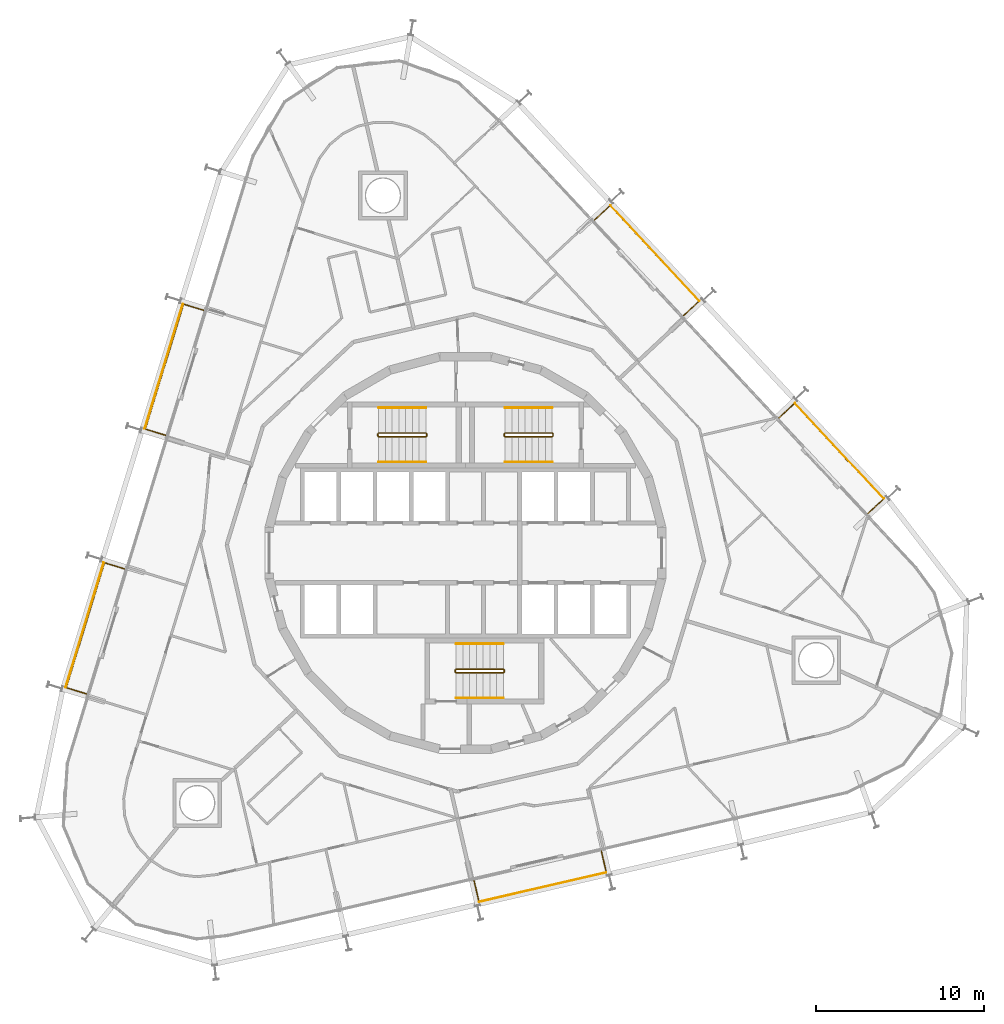
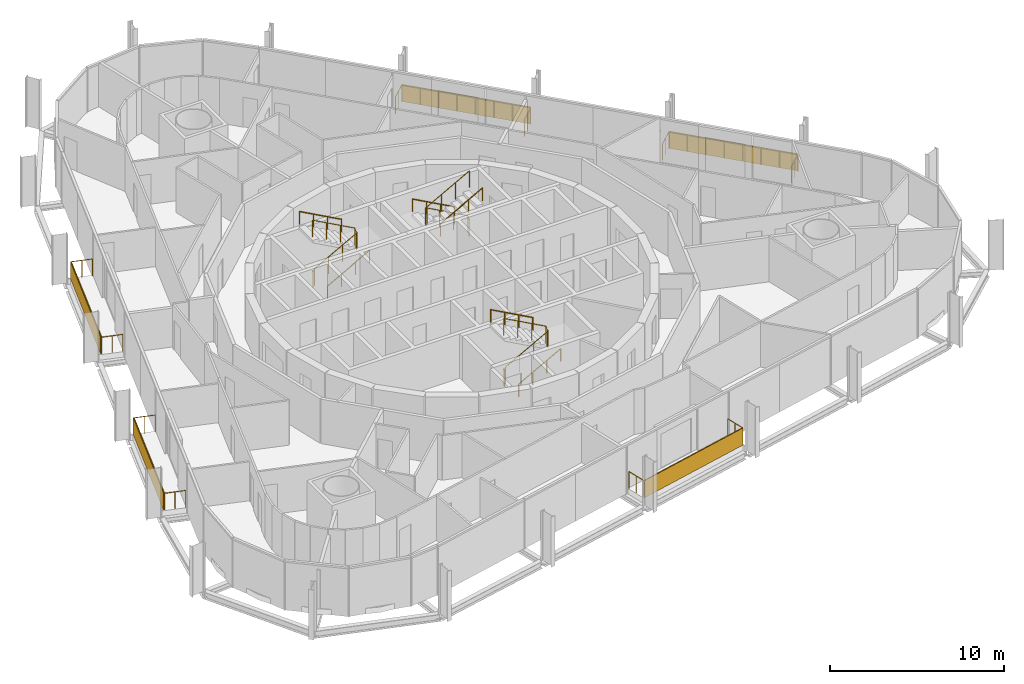
# One storey, part 18 of 18: 14 railings, 5 shading devices.
"""IFC4 building model written with IfcOpenShell, lengths in metres."""

from ifc_helpers import new_model, si_unit, direction, frame, origin, origin_2d, place, context, subcontext, project, spatial, rectangle, circle, extrude, material, layer, layer_set, type_object, element, save


model = new_model("IFC4")

# Units and contexts
model_context = context("Model", 3, precision=1e-05, world=origin(), true_north=direction((0.0, 1.0)))
body_context = subcontext(model_context, "Body", "Model", "MODEL_VIEW")
ifc_project = project(units=[si_unit("LENGTHUNIT", "METRE"), si_unit("AREAUNIT", "SQUARE_METRE"), si_unit("VOLUMEUNIT", "CUBIC_METRE"), si_unit("PLANEANGLEUNIT", "RADIAN"), si_unit("MASSUNIT", "GRAM", prefix="KILO")], contexts=[model_context])

# Site, building, storey
site_placement = place(None, origin())
site = spatial("IfcSite", under=ifc_project, at=site_placement, CompositionType="ELEMENT")
building_placement = place(site_placement, origin())
building = spatial("IfcBuilding", under=site, at=building_placement, Name="Spindle Arch Residences", CompositionType="ELEMENT")
storey_placement = place(building_placement, frame((0.0, 0.0, 116.89990234375)))
storey = spatial("IfcBuildingStorey", under=building, at=storey_placement, Name="L28", CompositionType="ELEMENT", Elevation=116.89990234375)

# Railings
ifc_material_1 = material(Name="Bronze anodised aluminium guard with glass infill", Category="aluminium")
railing_type_1 = type_object("IfcRailingType", Name="Balcony guard 1200", PredefinedType="GUARDRAIL", material=ifc_material_1)
railing_1_placement = place(storey_placement, frame((23.90185546875, 2.34619140625, 0.0)))
element("IfcRailing", 1, at=railing_1_placement, inside=storey, type_object=railing_type_1, Name="Guard L28 bay 6", PredefinedType="GUARDRAIL", context=body_context, shape_type="SweptSolid", body=[
    extrude(circle(Radius=0.02392578125, at=origin_2d()), frame((0.0, 0.0, 1.17578125), z_axis=(0.731379904041, 0.681970260323, 0.0), x_axis=(-0.681970260323, 0.731379904041, 0.0)), (0.0, 0.0, 1.0), 1.25),
    extrude(circle(Radius=0.02392578125, at=origin_2d()), frame((0.914306640625, 0.8525390625, 1.17578125), z_axis=(-0.681991953625, 0.731359675666, 0.0), x_axis=(-0.731359675666, -0.681991953625, 0.0)), (0.0, 0.0, 1.0), 7.75927734375),
    extrude(circle(Radius=0.02392578125, at=origin_2d()), frame((-4.37744140625, 6.52734375, 1.17578125), z_axis=(-0.731379904041, -0.681970260323, 0.0), x_axis=(0.681970260323, -0.731379904041, 0.0)), (0.0, 0.0, 1.0), 1.25),
    extrude(circle(Radius=0.02099609375, at=origin_2d()), origin(), (0.0, 0.0, 1.0), 1.15185546875),
    extrude(circle(Radius=0.02099609375, at=origin_2d()), frame((0.45703125, 0.42626953125, 0.0)), (0.0, 0.0, 1.0), 1.15185546875),
    extrude(circle(Radius=0.02099609375, at=origin_2d()), frame((0.914306640625, 0.8525390625, 0.0)), (0.0, 0.0, 1.0), 1.15185546875),
    extrude(circle(Radius=0.02099609375, at=origin_2d()), frame((0.158447265625, 1.663330078125, 0.0)), (0.0, 0.0, 1.0), 1.15185546875),
    extrude(circle(Radius=0.02099609375, at=origin_2d()), frame((-0.59765625, 2.473876953125, 0.0)), (0.0, 0.0, 1.0), 1.15185546875),
    extrude(circle(Radius=0.02099609375, at=origin_2d()), frame((-1.353515625, 3.28466796875, 0.0)), (0.0, 0.0, 1.0), 1.15185546875),
    extrude(circle(Radius=0.02099609375, at=origin_2d()), frame((-2.109619140625, 4.09521484375, 0.0)), (0.0, 0.0, 1.0), 1.15185546875),
    extrude(circle(Radius=0.02099609375, at=origin_2d()), frame((-2.865478515625, 4.906005859375, 0.0)), (0.0, 0.0, 1.0), 1.15185546875),
    extrude(circle(Radius=0.02099609375, at=origin_2d()), frame((-3.62158203125, 5.716552734375, 0.0)), (0.0, 0.0, 1.0), 1.15185546875),
    extrude(circle(Radius=0.02099609375, at=origin_2d()), frame((-4.37744140625, 6.52734375, 0.0)), (0.0, 0.0, 1.0), 1.15185546875),
    extrude(circle(Radius=0.02099609375, at=origin_2d()), frame((-4.83447265625, 6.10107421875, 0.0)), (0.0, 0.0, 1.0), 1.15185546875),
    extrude(circle(Radius=0.02099609375, at=origin_2d()), frame((-5.291748046875, 5.6748046875, 0.0)), (0.0, 0.0, 1.0), 1.15185546875),
])
railing_2_placement = place(storey_placement, frame((12.9501953125, 14.090576171875, 0.0)))
element("IfcRailing", 2, at=railing_2_placement, inside=storey, type_object=railing_type_1, Name="Guard L28 bay 8", PredefinedType="GUARDRAIL", context=body_context, shape_type="SweptSolid", body=[
    extrude(circle(Radius=0.02392578125, at=origin_2d()), frame((0.0, 0.0, 1.17578125), z_axis=(0.731289056092, 0.682067677317, 0.0), x_axis=(-0.682067677317, 0.731289056092, 0.0)), (0.0, 0.0, 1.0), 1.25),
    extrude(circle(Radius=0.02392578125, at=origin_2d()), frame((0.9140625, 0.8525390625, 1.17578125), z_axis=(-0.682007647712, 0.731345040635, 0.0), x_axis=(-0.731345040635, -0.682007647712, 0.0)), (0.0, 0.0, 1.0), 7.759033203125),
    extrude(circle(Radius=0.02392578125, at=origin_2d()), frame((-4.377685546875, 6.527099609375, 1.17578125), z_axis=(-0.731386486467, -0.681963200923, 0.0), x_axis=(0.681963200923, -0.731386486467, 0.0)), (0.0, 0.0, 1.0), 1.249755859375),
    extrude(circle(Radius=0.02099609375, at=origin_2d()), origin(), (0.0, 0.0, 1.0), 1.15185546875),
    extrude(circle(Radius=0.02099609375, at=origin_2d()), frame((0.45703125, 0.42626953125, 0.0)), (0.0, 0.0, 1.0), 1.15185546875),
    extrude(circle(Radius=0.02099609375, at=origin_2d()), frame((0.9140625, 0.8525390625, 0.0)), (0.0, 0.0, 1.0), 1.15185546875),
    extrude(circle(Radius=0.02099609375, at=origin_2d()), frame((0.158203125, 1.6630859375, 0.0)), (0.0, 0.0, 1.0), 1.15185546875),
    extrude(circle(Radius=0.02099609375, at=origin_2d()), frame((-0.597900390625, 2.473876953125, 0.0)), (0.0, 0.0, 1.0), 1.15185546875),
    extrude(circle(Radius=0.02099609375, at=origin_2d()), frame((-1.353759765625, 3.284423828125, 0.0)), (0.0, 0.0, 1.0), 1.15185546875),
    extrude(circle(Radius=0.02099609375, at=origin_2d()), frame((-2.10986328125, 4.09521484375, 0.0)), (0.0, 0.0, 1.0), 1.15185546875),
    extrude(circle(Radius=0.02099609375, at=origin_2d()), frame((-2.86572265625, 4.90576171875, 0.0)), (0.0, 0.0, 1.0), 1.15185546875),
    extrude(circle(Radius=0.02099609375, at=origin_2d()), frame((-3.621826171875, 5.716552734375, 0.0)), (0.0, 0.0, 1.0), 1.15185546875),
    extrude(circle(Radius=0.02099609375, at=origin_2d()), frame((-4.377685546875, 6.527099609375, 0.0)), (0.0, 0.0, 1.0), 1.15185546875),
    extrude(circle(Radius=0.02099609375, at=origin_2d()), frame((-4.834716796875, 6.10107421875, 0.0)), (0.0, 0.0, 1.0), 1.15185546875),
    extrude(circle(Radius=0.02099609375, at=origin_2d()), frame((-5.291748046875, 5.6748046875, 0.0)), (0.0, 0.0, 1.0), 1.15185546875),
])
railing_3_placement = place(storey_placement, frame((-15.5478515625, 14.40771484375, 0.0)))
element("IfcRailing", 3, at=railing_3_placement, inside=storey, type_object=railing_type_1, Name="Guard L28 bay 14", PredefinedType="GUARDRAIL", context=body_context, shape_type="SweptSolid", body=[
    extrude(circle(Radius=0.02392578125, at=origin_2d()), frame((0.0, 0.0, 1.17578125), z_axis=(-0.95629696894, 0.292397173714, 0.0), x_axis=(-0.292397173714, -0.95629696894, 0.0)), (0.0, 0.0, 1.0), 1.25),
    extrude(circle(Radius=0.02392578125, at=origin_2d()), frame((-1.1953125, 0.365478515625, 1.17578125), z_axis=(-0.29236961561, -0.956305394666, 0.0), x_axis=(0.956305394666, -0.29236961561, 0.0)), (0.0, 0.0, 1.0), 7.75927734375),
    extrude(circle(Radius=0.02392578125, at=origin_2d()), frame((-3.4638671875, -7.0546875, 1.17578125), z_axis=(0.95629696894, -0.292397173714, 0.0), x_axis=(0.292397173714, 0.95629696894, 0.0)), (0.0, 0.0, 1.0), 1.25),
    extrude(circle(Radius=0.02099609375, at=origin_2d()), origin(), (0.0, 0.0, 1.0), 1.15185546875),
    extrude(circle(Radius=0.02099609375, at=origin_2d()), frame((-0.59765625, 0.1826171875, 0.0)), (0.0, 0.0, 1.0), 1.15185546875),
    extrude(circle(Radius=0.02099609375, at=origin_2d()), frame((-1.1953125, 0.365478515625, 0.0)), (0.0, 0.0, 1.0), 1.15185546875),
    extrude(circle(Radius=0.02099609375, at=origin_2d()), frame((-1.519287109375, -0.694580078125, 0.0)), (0.0, 0.0, 1.0), 1.15185546875),
    extrude(circle(Radius=0.02099609375, at=origin_2d()), frame((-1.843505859375, -1.754638671875, 0.0)), (0.0, 0.0, 1.0), 1.15185546875),
    extrude(circle(Radius=0.02099609375, at=origin_2d()), frame((-2.16748046875, -2.814697265625, 0.0)), (0.0, 0.0, 1.0), 1.15185546875),
    extrude(circle(Radius=0.02099609375, at=origin_2d()), frame((-2.49169921875, -3.87451171875, 0.0)), (0.0, 0.0, 1.0), 1.15185546875),
    extrude(circle(Radius=0.02099609375, at=origin_2d()), frame((-2.815673828125, -4.9345703125, 0.0)), (0.0, 0.0, 1.0), 1.15185546875),
    extrude(circle(Radius=0.02099609375, at=origin_2d()), frame((-3.139892578125, -5.99462890625, 0.0)), (0.0, 0.0, 1.0), 1.15185546875),
    extrude(circle(Radius=0.02099609375, at=origin_2d()), frame((-3.4638671875, -7.0546875, 0.0)), (0.0, 0.0, 1.0), 1.15185546875),
    extrude(circle(Radius=0.02099609375, at=origin_2d()), frame((-2.8662109375, -7.2373046875, 0.0)), (0.0, 0.0, 1.0), 1.15185546875),
    extrude(circle(Radius=0.02099609375, at=origin_2d()), frame((-2.2685546875, -7.420166015625, 0.0)), (0.0, 0.0, 1.0), 1.15185546875),
])
railing_4_placement = place(storey_placement, frame((-20.242919921875, -0.948974609375, 0.0)))
element("IfcRailing", 4, at=railing_4_placement, inside=storey, type_object=railing_type_1, Name="Guard L28 bay 16", PredefinedType="GUARDRAIL", context=body_context, shape_type="SweptSolid", body=[
    extrude(circle(Radius=0.02392578125, at=origin_2d()), frame((0.0, 0.0, 1.17578125), z_axis=(-0.95629696894, 0.292397173714, 0.0), x_axis=(-0.292397173714, -0.95629696894, 0.0)), (0.0, 0.0, 1.0), 1.25),
    extrude(circle(Radius=0.02392578125, at=origin_2d()), frame((-1.1953125, 0.365478515625, 1.17578125), z_axis=(-0.29236961561, -0.956305394666, 0.0), x_axis=(0.956305394666, -0.29236961561, 0.0)), (0.0, 0.0, 1.0), 7.75927734375),
    extrude(circle(Radius=0.02392578125, at=origin_2d()), frame((-3.4638671875, -7.0546875, 1.17578125), z_axis=(0.95629696894, -0.292397173714, 0.0), x_axis=(0.292397173714, 0.95629696894, 0.0)), (0.0, 0.0, 1.0), 1.25),
    extrude(circle(Radius=0.02099609375, at=origin_2d()), origin(), (0.0, 0.0, 1.0), 1.15185546875),
    extrude(circle(Radius=0.02099609375, at=origin_2d()), frame((-0.59765625, 0.1826171875, 0.0)), (0.0, 0.0, 1.0), 1.15185546875),
    extrude(circle(Radius=0.02099609375, at=origin_2d()), frame((-1.1953125, 0.365478515625, 0.0)), (0.0, 0.0, 1.0), 1.15185546875),
    extrude(circle(Radius=0.02099609375, at=origin_2d()), frame((-1.519287109375, -0.694580078125, 0.0)), (0.0, 0.0, 1.0), 1.15185546875),
    extrude(circle(Radius=0.02099609375, at=origin_2d()), frame((-1.843505859375, -1.754638671875, 0.0)), (0.0, 0.0, 1.0), 1.15185546875),
    extrude(circle(Radius=0.02099609375, at=origin_2d()), frame((-2.16748046875, -2.814697265625, 0.0)), (0.0, 0.0, 1.0), 1.15185546875),
    extrude(circle(Radius=0.02099609375, at=origin_2d()), frame((-2.49169921875, -3.87451171875, 0.0)), (0.0, 0.0, 1.0), 1.15185546875),
    extrude(circle(Radius=0.02099609375, at=origin_2d()), frame((-2.815673828125, -4.9345703125, 0.0)), (0.0, 0.0, 1.0), 1.15185546875),
    extrude(circle(Radius=0.02099609375, at=origin_2d()), frame((-3.139892578125, -5.99462890625, 0.0)), (0.0, 0.0, 1.0), 1.15185546875),
    extrude(circle(Radius=0.02099609375, at=origin_2d()), frame((-3.4638671875, -7.0546875, 0.0)), (0.0, 0.0, 1.0), 1.15185546875),
    extrude(circle(Radius=0.02099609375, at=origin_2d()), frame((-2.8662109375, -7.2373046875, 0.0)), (0.0, 0.0, 1.0), 1.15185546875),
    extrude(circle(Radius=0.02099609375, at=origin_2d()), frame((-2.2685546875, -7.420166015625, 0.0)), (0.0, 0.0, 1.0), 1.15185546875),
])
railing_5_placement = place(storey_placement, frame((0.51220703125, -19.464599609375, 0.0)))
element("IfcRailing", 5, at=railing_5_placement, inside=storey, type_object=railing_type_1, Name="Guard L28 bay 22", PredefinedType="GUARDRAIL", context=body_context, shape_type="SweptSolid", body=[
    extrude(circle(Radius=0.02392578125, at=origin_2d()), frame((0.0, 0.0, 1.17578125), z_axis=(0.224802449297, -0.974404361028, 0.0), x_axis=(0.974404361028, 0.224802449297, 0.0)), (0.0, 0.0, 1.0), 1.25),
    extrude(circle(Radius=0.02392578125, at=origin_2d()), frame((0.281005859375, -1.218017578125, 1.17578125), z_axis=(0.974365204353, 0.224972106149, 0.0), x_axis=(-0.224972106149, 0.974365204353, 0.0)), (0.0, 0.0, 1.0), 7.75927734375),
    extrude(circle(Radius=0.02392578125, at=origin_2d()), frame((7.84130859375, 0.527587890625, 1.17578125), z_axis=(-0.224845239705, 0.974394487968, 0.0), x_axis=(-0.974394487968, -0.224845239705, 0.0)), (0.0, 0.0, 1.0), 1.249755859375),
    extrude(circle(Radius=0.02099609375, at=origin_2d()), origin(), (0.0, 0.0, 1.0), 1.15185546875),
    extrude(circle(Radius=0.02099609375, at=origin_2d()), frame((0.140625, -0.60888671875, 0.0)), (0.0, 0.0, 1.0), 1.15185546875),
    extrude(circle(Radius=0.02099609375, at=origin_2d()), frame((0.281005859375, -1.218017578125, 0.0)), (0.0, 0.0, 1.0), 1.15185546875),
    extrude(circle(Radius=0.02099609375, at=origin_2d()), frame((1.361083984375, -0.96875, 0.0)), (0.0, 0.0, 1.0), 1.15185546875),
    extrude(circle(Radius=0.02099609375, at=origin_2d()), frame((2.441162109375, -0.71923828125, 0.0)), (0.0, 0.0, 1.0), 1.15185546875),
    extrude(circle(Radius=0.02099609375, at=origin_2d()), frame((3.521240234375, -0.469970703125, 0.0)), (0.0, 0.0, 1.0), 1.15185546875),
    extrude(circle(Radius=0.02099609375, at=origin_2d()), frame((4.60107421875, -0.220458984375, 0.0)), (0.0, 0.0, 1.0), 1.15185546875),
    extrude(circle(Radius=0.02099609375, at=origin_2d()), frame((5.68115234375, 0.02880859375, 0.0)), (0.0, 0.0, 1.0), 1.15185546875),
    extrude(circle(Radius=0.02099609375, at=origin_2d()), frame((6.76123046875, 0.2783203125, 0.0)), (0.0, 0.0, 1.0), 1.15185546875),
    extrude(circle(Radius=0.02099609375, at=origin_2d()), frame((7.84130859375, 0.527587890625, 0.0)), (0.0, 0.0, 1.0), 1.15185546875),
    extrude(circle(Radius=0.02099609375, at=origin_2d()), frame((7.70068359375, 1.136474609375, 0.0)), (0.0, 0.0, 1.0), 1.15185546875),
    extrude(circle(Radius=0.02099609375, at=origin_2d()), frame((7.560302734375, 1.745361328125, 0.0)), (0.0, 0.0, 1.0), 1.15185546875),
])

# Shading devices
ifc_material_2 = material(Name="Bronze perforated cobogo screen")
ifc_layer = layer(ifc_material_2, 0.0390625)
ifc_layer_set = layer_set([ifc_layer], Name="Cobogo screen 1200")
shading_device_type = type_object("IfcShadingDeviceType", Name="Cobogo screen 1200", PredefinedType="USERDEFINED", material=ifc_layer_set)
for number, where, z_axis, x_axis, name in (
    (6, (22.199951171875, 6.063720703125, 0.0), (0.0, 0.0, 1.0), (-0.681998360062, 0.731353701619, 0.0), "Cobogo screen L28 bay 6"),
    (7, (11.248046875, 17.80810546875, 0.0), (0.0, 0.0, 1.0), (-0.681998360062, 0.731353701619, 0.0), "Cobogo screen L28 bay 8"),
    (8, (-17.916259765625, 11.074951171875, 0.0), (0.0, 0.0, 1.0), (-0.292371704723, -0.956304755963, 0.0), "Cobogo screen L28 bay 14"),
    (9, (-22.611328125, -4.28173828125, 0.0), (0.0, 0.0, 1.0), (-0.292371704723, -0.956304755963, 0.0), "Cobogo screen L28 bay 16"),
    (10, (4.58251953125, -19.849365234375, 0.0), (0.0, 0.0, 1.0), (0.974370064785, 0.224951054344, 0.0), "Cobogo screen L28 bay 22"),
):
    element("IfcShadingDevice", number, at=place(storey_placement, frame(where, z_axis=z_axis, x_axis=x_axis)), inside=storey, type_object=shading_device_type, Name=name, ObjectType="SCREEN", PredefinedType="USERDEFINED", context=body_context, shape_type="SweptSolid", body=[
        extrude(rectangle(XDim=7.75927734375, YDim=0.0390625, at=origin_2d()), origin(), (0.0, 0.0, 1.0), 1.199951171875),
    ])

# Railings
ifc_material_3 = material(Name="Steel, painted", Category="steel")
railing_type_2 = type_object("IfcRailingType", Name="Stair guard 1100", PredefinedType="GUARDRAIL", material=ifc_material_3)
railing_6_placement = place(storey_placement, frame((5.14990234375, 6.89990234375, 3.5)))
element("IfcRailing", 11, at=railing_6_placement, inside=storey, type_object=railing_type_2, Name="L28 ST1 stair guard 1", PredefinedType="GUARDRAIL", context=body_context, shape_type="SweptSolid", body=[
    extrude(circle(Radius=0.02392578125, at=origin_2d()), frame((0.0, 0.0, 1.17578125), z_axis=(-0.877357048833, 0.0, -0.479838106931), x_axis=(0.0, -1.0, 0.0)), (0.0, 0.0, 1.0), 3.191162109375),
    extrude(circle(Radius=0.02392578125, at=origin_2d()), frame((-2.7998046875, 0.0, -0.35546875), z_axis=(-0.217683172539, 0.217683172539, -0.951434744366), x_axis=(-0.707106781187, -0.707106781187, 0.0)), (0.0, 0.0, 1.0), 0.22998046875),
    extrude(circle(Radius=0.02392578125, at=origin_2d()), frame((-2.849853515625, 0.050048828125, -0.57421875), z_axis=(0.0, 1.0, 0.0), x_axis=(-1.0, 0.0, 0.0)), (0.0, 0.0, 1.0), 0.1201171875),
    extrude(circle(Radius=0.02392578125, at=origin_2d()), frame((-2.849853515625, 0.170166015625, -0.57421875), z_axis=(0.707106781187, 0.707106781187, 0.0), x_axis=(-0.707106781187, 0.707106781187, 0.0)), (0.0, 0.0, 1.0), 0.07080078125),
    extrude(circle(Radius=0.02392578125, at=origin_2d()), frame((-2.7998046875, 0.22021484375, -0.57421875), z_axis=(0.877357048833, 0.0, -0.479838106931), x_axis=(0.0, 1.0, 0.0)), (0.0, 0.0, 1.0), 3.191162109375),
    extrude(circle(Radius=0.02392578125, at=origin_2d()), frame((0.0, 0.22021484375, -2.10546875), z_axis=(0.217683172539, -0.217683172539, -0.951434744366), x_axis=(0.707106781187, 0.707106781187, 0.0)), (0.0, 0.0, 1.0), 0.22998046875),
    extrude(circle(Radius=0.02392578125, at=origin_2d()), frame((0.050048828125, 0.170166015625, -2.32421875), z_axis=(0.0, -1.0, 0.0), x_axis=(1.0, 0.0, 0.0)), (0.0, 0.0, 1.0), 0.1201171875),
    extrude(circle(Radius=0.02099609375, at=origin_2d()), origin(), (0.0, 0.0, 1.0), 1.15185546875),
    extrude(circle(Radius=0.02099609375, at=origin_2d()), frame((-0.933349609375, 0.0, -0.510498046875)), (0.0, 0.0, 1.0), 1.15185546875),
    extrude(circle(Radius=0.02099609375, at=origin_2d()), frame((-1.866455078125, 0.0, -1.020751953125)), (0.0, 0.0, 1.0), 1.15185546875),
    extrude(circle(Radius=0.02099609375, at=origin_2d()), frame((-2.7998046875, 0.0, -1.53125)), (0.0, 0.0, 1.0), 1.15185546875),
    extrude(circle(Radius=0.02099609375, at=origin_2d()), frame((-2.849853515625, 0.050048828125, -1.75)), (0.0, 0.0, 1.0), 1.15185546875),
    extrude(circle(Radius=0.02099609375, at=origin_2d()), frame((-2.849853515625, 0.170166015625, -1.75)), (0.0, 0.0, 1.0), 1.15185546875),
    extrude(circle(Radius=0.02099609375, at=origin_2d()), frame((-2.7998046875, 0.22021484375, -1.75)), (0.0, 0.0, 1.0), 1.15185546875),
    extrude(circle(Radius=0.02099609375, at=origin_2d()), frame((-1.866455078125, 0.22021484375, -2.260498046875)), (0.0, 0.0, 1.0), 1.15185546875),
    extrude(circle(Radius=0.02099609375, at=origin_2d()), frame((-0.933349609375, 0.22021484375, -2.770751953125)), (0.0, 0.0, 1.0), 1.15185546875),
    extrude(circle(Radius=0.02099609375, at=origin_2d()), frame((0.0, 0.22021484375, -3.28125)), (0.0, 0.0, 1.0), 1.15185546875),
    extrude(circle(Radius=0.02099609375, at=origin_2d()), frame((0.050048828125, 0.170166015625, -3.5)), (0.0, 0.0, 1.0), 1.15185546875),
    extrude(circle(Radius=0.02099609375, at=origin_2d()), frame((0.050048828125, 0.050048828125, -3.5)), (0.0, 0.0, 1.0), 1.15185546875),
])
railing_7_placement = place(storey_placement, frame((-5.14990234375, 7.1201171875, 3.5)))
element("IfcRailing", 12, at=railing_7_placement, inside=storey, type_object=railing_type_2, Name="L28 ST2 stair guard 1", PredefinedType="GUARDRAIL", context=body_context, shape_type="SweptSolid", body=[
    extrude(circle(Radius=0.02392578125, at=origin_2d()), frame((0.0, 0.0, 1.17578125), z_axis=(0.877357048833, 0.0, -0.479838106931), x_axis=(0.0, 1.0, 0.0)), (0.0, 0.0, 1.0), 3.191162109375),
    extrude(circle(Radius=0.02392578125, at=origin_2d()), frame((2.7998046875, 0.0, -0.35546875), z_axis=(0.217683172539, -0.217683172539, -0.951434744366), x_axis=(0.707106781187, 0.707106781187, 0.0)), (0.0, 0.0, 1.0), 0.22998046875),
    extrude(circle(Radius=0.02392578125, at=origin_2d()), frame((2.849853515625, -0.050048828125, -0.57421875), z_axis=(0.0, -1.0, 0.0), x_axis=(1.0, 0.0, 0.0)), (0.0, 0.0, 1.0), 0.1201171875),
    extrude(circle(Radius=0.02392578125, at=origin_2d()), frame((2.849853515625, -0.170166015625, -0.57421875), z_axis=(-0.707106781187, -0.707106781187, 0.0), x_axis=(0.707106781187, -0.707106781187, 0.0)), (0.0, 0.0, 1.0), 0.07080078125),
    extrude(circle(Radius=0.02392578125, at=origin_2d()), frame((2.7998046875, -0.22021484375, -0.57421875), z_axis=(-0.877357048833, 0.0, -0.479838106931), x_axis=(0.0, -1.0, 0.0)), (0.0, 0.0, 1.0), 3.191162109375),
    extrude(circle(Radius=0.02392578125, at=origin_2d()), frame((0.0, -0.22021484375, -2.10546875), z_axis=(-0.217683172539, 0.217683172539, -0.951434744366), x_axis=(-0.707106781187, -0.707106781187, 0.0)), (0.0, 0.0, 1.0), 0.22998046875),
    extrude(circle(Radius=0.02392578125, at=origin_2d()), frame((-0.050048828125, -0.170166015625, -2.32421875), z_axis=(0.0, 1.0, 0.0), x_axis=(-1.0, 0.0, 0.0)), (0.0, 0.0, 1.0), 0.1201171875),
    extrude(circle(Radius=0.02099609375, at=origin_2d()), origin(), (0.0, 0.0, 1.0), 1.15185546875),
    extrude(circle(Radius=0.02099609375, at=origin_2d()), frame((0.933349609375, 0.0, -0.510498046875)), (0.0, 0.0, 1.0), 1.15185546875),
    extrude(circle(Radius=0.02099609375, at=origin_2d()), frame((1.866455078125, 0.0, -1.020751953125)), (0.0, 0.0, 1.0), 1.15185546875),
    extrude(circle(Radius=0.02099609375, at=origin_2d()), frame((2.7998046875, 0.0, -1.53125)), (0.0, 0.0, 1.0), 1.15185546875),
    extrude(circle(Radius=0.02099609375, at=origin_2d()), frame((2.849853515625, -0.050048828125, -1.75)), (0.0, 0.0, 1.0), 1.15185546875),
    extrude(circle(Radius=0.02099609375, at=origin_2d()), frame((2.849853515625, -0.170166015625, -1.75)), (0.0, 0.0, 1.0), 1.15185546875),
    extrude(circle(Radius=0.02099609375, at=origin_2d()), frame((2.7998046875, -0.22021484375, -1.75)), (0.0, 0.0, 1.0), 1.15185546875),
    extrude(circle(Radius=0.02099609375, at=origin_2d()), frame((1.866455078125, -0.22021484375, -2.260498046875)), (0.0, 0.0, 1.0), 1.15185546875),
    extrude(circle(Radius=0.02099609375, at=origin_2d()), frame((0.933349609375, -0.22021484375, -2.770751953125)), (0.0, 0.0, 1.0), 1.15185546875),
    extrude(circle(Radius=0.02099609375, at=origin_2d()), frame((0.0, -0.22021484375, -3.28125)), (0.0, 0.0, 1.0), 1.15185546875),
    extrude(circle(Radius=0.02099609375, at=origin_2d()), frame((-0.050048828125, -0.170166015625, -3.5)), (0.0, 0.0, 1.0), 1.15185546875),
    extrude(circle(Radius=0.02099609375, at=origin_2d()), frame((-0.050048828125, -0.050048828125, -3.5)), (0.0, 0.0, 1.0), 1.15185546875),
])
railing_8_placement = place(storey_placement, frame((-0.550048828125, -6.89990234375, 3.5)))
element("IfcRailing", 13, at=railing_8_placement, inside=storey, type_object=railing_type_2, Name="L28 ST3 stair guard 1", PredefinedType="GUARDRAIL", context=body_context, shape_type="SweptSolid", body=[
    extrude(circle(Radius=0.02392578125, at=origin_2d()), frame((0.0, 0.0, 1.17578125), z_axis=(0.877374661878, 0.0, -0.479805901063), x_axis=(0.0, 1.0, 0.0)), (0.0, 0.0, 1.0), 3.19140625),
    extrude(circle(Radius=0.02392578125, at=origin_2d()), frame((2.800048828125, 0.0, -0.35546875), z_axis=(0.217683172539, -0.217683172539, -0.951434744366), x_axis=(0.707106781187, 0.707106781187, 0.0)), (0.0, 0.0, 1.0), 0.22998046875),
    extrude(circle(Radius=0.02392578125, at=origin_2d()), frame((2.85009765625, -0.050048828125, -0.57421875), z_axis=(0.0, -1.0, 0.0), x_axis=(1.0, 0.0, 0.0)), (0.0, 0.0, 1.0), 0.1201171875),
    extrude(circle(Radius=0.02392578125, at=origin_2d()), frame((2.85009765625, -0.170166015625, -0.57421875), z_axis=(-0.707106781187, -0.707106781187, 0.0), x_axis=(0.707106781187, -0.707106781187, 0.0)), (0.0, 0.0, 1.0), 0.07080078125),
    extrude(circle(Radius=0.02392578125, at=origin_2d()), frame((2.800048828125, -0.22021484375, -0.57421875), z_axis=(-0.877374661878, 0.0, -0.479805901063), x_axis=(0.0, -1.0, 0.0)), (0.0, 0.0, 1.0), 3.19140625),
    extrude(circle(Radius=0.02392578125, at=origin_2d()), frame((0.0, -0.22021484375, -2.10546875), z_axis=(-0.217683172539, 0.217683172539, -0.951434744366), x_axis=(-0.707106781187, -0.707106781187, 0.0)), (0.0, 0.0, 1.0), 0.22998046875),
    extrude(circle(Radius=0.02392578125, at=origin_2d()), frame((-0.050048828125, -0.170166015625, -2.32421875), z_axis=(0.0, 1.0, 0.0), x_axis=(-1.0, 0.0, 0.0)), (0.0, 0.0, 1.0), 0.1201171875),
    extrude(circle(Radius=0.02099609375, at=origin_2d()), origin(), (0.0, 0.0, 1.0), 1.15185546875),
    extrude(circle(Radius=0.02099609375, at=origin_2d()), frame((0.933349609375, 0.0, -0.510498046875)), (0.0, 0.0, 1.0), 1.15185546875),
    extrude(circle(Radius=0.02099609375, at=origin_2d()), frame((1.86669921875, 0.0, -1.020751953125)), (0.0, 0.0, 1.0), 1.15185546875),
    extrude(circle(Radius=0.02099609375, at=origin_2d()), frame((2.800048828125, 0.0, -1.53125)), (0.0, 0.0, 1.0), 1.15185546875),
    extrude(circle(Radius=0.02099609375, at=origin_2d()), frame((2.85009765625, -0.050048828125, -1.75)), (0.0, 0.0, 1.0), 1.15185546875),
    extrude(circle(Radius=0.02099609375, at=origin_2d()), frame((2.85009765625, -0.170166015625, -1.75)), (0.0, 0.0, 1.0), 1.15185546875),
    extrude(circle(Radius=0.02099609375, at=origin_2d()), frame((2.800048828125, -0.22021484375, -1.75)), (0.0, 0.0, 1.0), 1.15185546875),
    extrude(circle(Radius=0.02099609375, at=origin_2d()), frame((1.86669921875, -0.22021484375, -2.260498046875)), (0.0, 0.0, 1.0), 1.15185546875),
    extrude(circle(Radius=0.02099609375, at=origin_2d()), frame((0.933349609375, -0.22021484375, -2.770751953125)), (0.0, 0.0, 1.0), 1.15185546875),
    extrude(circle(Radius=0.02099609375, at=origin_2d()), frame((0.0, -0.22021484375, -3.28125)), (0.0, 0.0, 1.0), 1.15185546875),
    extrude(circle(Radius=0.02099609375, at=origin_2d()), frame((-0.050048828125, -0.170166015625, -3.5)), (0.0, 0.0, 1.0), 1.15185546875),
    extrude(circle(Radius=0.02099609375, at=origin_2d()), frame((-0.050048828125, -0.050048828125, -3.5)), (0.0, 0.0, 1.0), 1.15185546875),
])
ifc_material_4 = material(Name="Steel, painted", Category="steel")
railing_type_3 = type_object("IfcRailingType", Name="Stair handrail 900", PredefinedType="HANDRAIL", material=ifc_material_4)
railing_9_placement = place(storey_placement, frame((5.14990234375, 8.6201171875, 0.21875)))
element("IfcRailing", 14, at=railing_9_placement, inside=storey, type_object=railing_type_3, Name="L28 ST1 stair handrail 1", PredefinedType="HANDRAIL", context=body_context, shape_type="SweptSolid", body=[
    extrude(circle(Radius=0.02392578125, at=origin_2d()), frame((0.0, 0.0, 0.8759765625), z_axis=(-0.877357048833, 0.0, 0.479838106931), x_axis=(0.0, -1.0, 0.0)), (0.0, 0.0, 1.0), 3.191162109375),
    extrude(circle(Radius=0.02099609375, at=origin_2d()), origin(), (0.0, 0.0, 1.0), 0.851806640625),
    extrude(circle(Radius=0.02099609375, at=origin_2d()), frame((-0.933349609375, 0.0, 0.510498046875)), (0.0, 0.0, 1.0), 0.851806640625),
    extrude(circle(Radius=0.02099609375, at=origin_2d()), frame((-1.866455078125, 0.0, 1.020751953125)), (0.0, 0.0, 1.0), 0.851806640625),
    extrude(circle(Radius=0.02099609375, at=origin_2d()), frame((-2.7998046875, 0.0, 1.53125)), (0.0, 0.0, 1.0), 0.851806640625),
])
for number, where, name in (
    (15, (2.35009765625, 5.39990234375, 1.96875), "L28 ST1 stair handrail 2"),
    (16, (-5.14990234375, 5.39990234375, 0.21875), "L28 ST2 stair handrail 1"),
):
    element("IfcRailing", number, at=place(storey_placement, frame(where)), inside=storey, type_object=railing_type_3, Name=name, PredefinedType="HANDRAIL", context=body_context, shape_type="SweptSolid", body=[
        extrude(circle(Radius=0.02392578125, at=origin_2d()), frame((0.0, 0.0, 0.8759765625), z_axis=(0.877357048833, 0.0, 0.479838106931), x_axis=(0.0, 1.0, 0.0)), (0.0, 0.0, 1.0), 3.191162109375),
        extrude(circle(Radius=0.02099609375, at=origin_2d()), origin(), (0.0, 0.0, 1.0), 0.851806640625),
        extrude(circle(Radius=0.02099609375, at=origin_2d()), frame((0.933349609375, 0.0, 0.510498046875)), (0.0, 0.0, 1.0), 0.851806640625),
        extrude(circle(Radius=0.02099609375, at=origin_2d()), frame((1.866455078125, 0.0, 1.020751953125)), (0.0, 0.0, 1.0), 0.851806640625),
        extrude(circle(Radius=0.02099609375, at=origin_2d()), frame((2.7998046875, 0.0, 1.53125)), (0.0, 0.0, 1.0), 0.851806640625),
    ])
railing_10_placement = place(storey_placement, frame((-2.35009765625, 8.6201171875, 1.96875)))
element("IfcRailing", 17, at=railing_10_placement, inside=storey, type_object=railing_type_3, Name="L28 ST2 stair handrail 2", PredefinedType="HANDRAIL", context=body_context, shape_type="SweptSolid", body=[
    extrude(circle(Radius=0.02392578125, at=origin_2d()), frame((0.0, 0.0, 0.8759765625), z_axis=(-0.877357048833, 0.0, 0.479838106931), x_axis=(0.0, -1.0, 0.0)), (0.0, 0.0, 1.0), 3.191162109375),
    extrude(circle(Radius=0.02099609375, at=origin_2d()), origin(), (0.0, 0.0, 1.0), 0.851806640625),
    extrude(circle(Radius=0.02099609375, at=origin_2d()), frame((-0.933349609375, 0.0, 0.510498046875)), (0.0, 0.0, 1.0), 0.851806640625),
    extrude(circle(Radius=0.02099609375, at=origin_2d()), frame((-1.866455078125, 0.0, 1.020751953125)), (0.0, 0.0, 1.0), 0.851806640625),
    extrude(circle(Radius=0.02099609375, at=origin_2d()), frame((-2.7998046875, 0.0, 1.53125)), (0.0, 0.0, 1.0), 0.851806640625),
])
railing_11_placement = place(storey_placement, frame((-0.550048828125, -8.6201171875, 0.21875)))
element("IfcRailing", 18, at=railing_11_placement, inside=storey, type_object=railing_type_3, Name="L28 ST3 stair handrail 1", PredefinedType="HANDRAIL", context=body_context, shape_type="SweptSolid", body=[
    extrude(circle(Radius=0.02392578125, at=origin_2d()), frame((0.0, 0.0, 0.8759765625), z_axis=(0.877374661878, 0.0, 0.479805901063), x_axis=(0.0, 1.0, 0.0)), (0.0, 0.0, 1.0), 3.19140625),
    extrude(circle(Radius=0.02099609375, at=origin_2d()), origin(), (0.0, 0.0, 1.0), 0.851806640625),
    extrude(circle(Radius=0.02099609375, at=origin_2d()), frame((0.933349609375, 0.0, 0.510498046875)), (0.0, 0.0, 1.0), 0.851806640625),
    extrude(circle(Radius=0.02099609375, at=origin_2d()), frame((1.86669921875, 0.0, 1.020751953125)), (0.0, 0.0, 1.0), 0.851806640625),
    extrude(circle(Radius=0.02099609375, at=origin_2d()), frame((2.800048828125, 0.0, 1.53125)), (0.0, 0.0, 1.0), 0.851806640625),
])
railing_12_placement = place(storey_placement, frame((2.25, -5.39990234375, 1.96875)))
element("IfcRailing", 19, at=railing_12_placement, inside=storey, type_object=railing_type_3, Name="L28 ST3 stair handrail 2", PredefinedType="HANDRAIL", context=body_context, shape_type="SweptSolid", body=[
    extrude(circle(Radius=0.02392578125, at=origin_2d()), frame((0.0, 0.0, 0.8759765625), z_axis=(-0.877374661878, 0.0, 0.479805901063), x_axis=(0.0, -1.0, 0.0)), (0.0, 0.0, 1.0), 3.19140625),
    extrude(circle(Radius=0.02099609375, at=origin_2d()), origin(), (0.0, 0.0, 1.0), 0.851806640625),
    extrude(circle(Radius=0.02099609375, at=origin_2d()), frame((-0.933349609375, 0.0, 0.510498046875)), (0.0, 0.0, 1.0), 0.851806640625),
    extrude(circle(Radius=0.02099609375, at=origin_2d()), frame((-1.86669921875, 0.0, 1.020751953125)), (0.0, 0.0, 1.0), 0.851806640625),
    extrude(circle(Radius=0.02099609375, at=origin_2d()), frame((-2.800048828125, 0.0, 1.53125)), (0.0, 0.0, 1.0), 0.851806640625),
])

save(model, "model.ifc")
